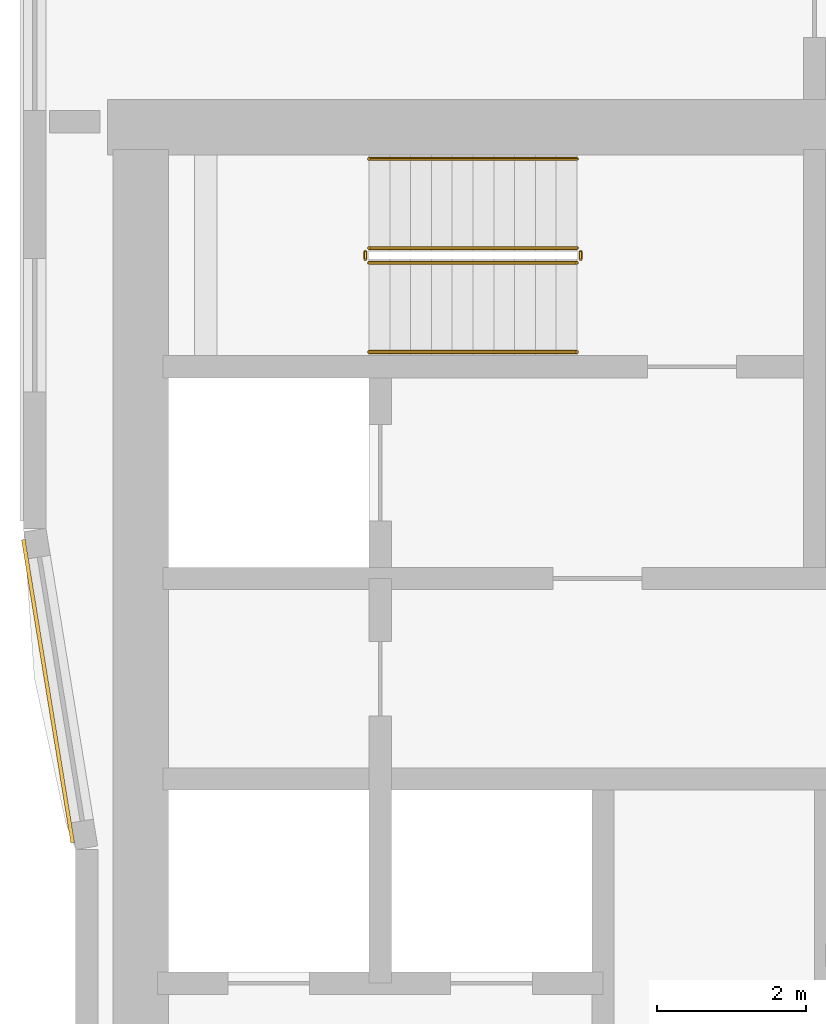
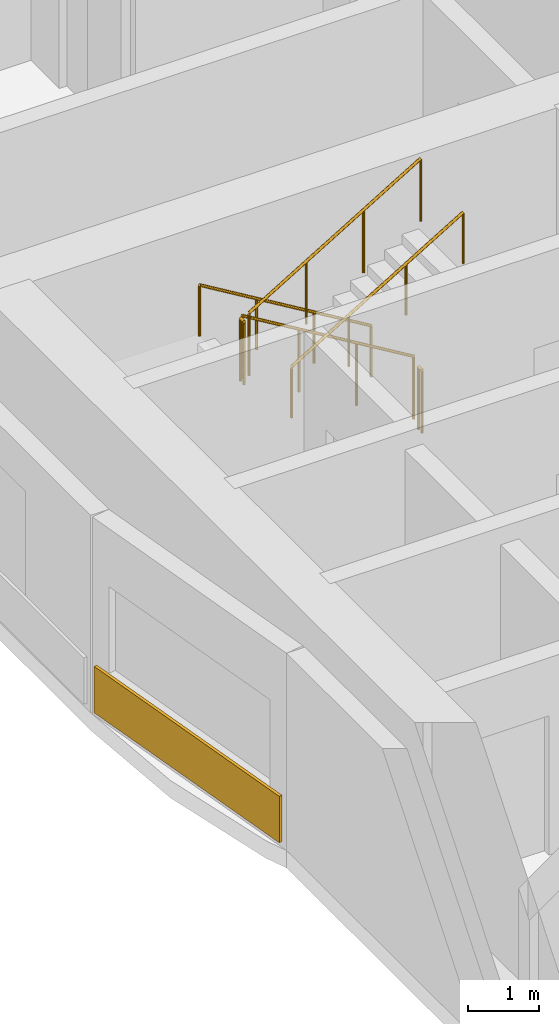
# One storey, part 17 of 22: 6 railings, 1 covering.
"""IFC4 building model written with IfcOpenShell, lengths in metres."""

from ifc_helpers import new_model, si_unit, direction, frame, origin, origin_2d, place, context, subcontext, project, spatial, rectangle, circle, extrude, material, layer, layer_set, type_object, element, save


model = new_model("IFC4")

# Units and contexts
model_context = context("Model", 3, precision=1e-05, world=origin(), true_north=direction((0.0, 1.0)))
body_context = subcontext(model_context, "Body", "Model", "MODEL_VIEW")
ifc_project = project(units=[si_unit("LENGTHUNIT", "METRE"), si_unit("AREAUNIT", "SQUARE_METRE"), si_unit("VOLUMEUNIT", "CUBIC_METRE"), si_unit("PLANEANGLEUNIT", "RADIAN"), si_unit("MASSUNIT", "GRAM", prefix="KILO")], contexts=[model_context])

# Site, building, storey
site_placement = place(None, origin())
site = spatial("IfcSite", under=ifc_project, at=site_placement, CompositionType="ELEMENT")
building_placement = place(site_placement, origin())
building = spatial("IfcBuilding", under=site, at=building_placement, Name="Ogive Portal Towers", CompositionType="ELEMENT")
storey_placement = place(building_placement, frame((0.0, 0.0, 113.0)))
storey = spatial("IfcBuildingStorey", under=building, at=storey_placement, Name="L27", CompositionType="ELEMENT", Elevation=113.0)

# Railings
ifc_material_1 = material(Name="Stainless steel balustrade", Category="steel")
railing_type_1 = type_object("IfcRailingType", Name="INT-GUARD", PredefinedType="GUARDRAIL", material=ifc_material_1)
railing_1_placement = place(storey_placement, frame((37.449951171875, 37.800048828125, 0.168212890625)))
element("IfcRailing", 1, at=railing_1_placement, inside=storey, type_object=railing_type_1, Name="L27 ST-A1 stair guard 1", PredefinedType="GUARDRAIL", context=body_context, shape_type="SweptSolid", body=[
    extrude(circle(Radius=0.02392578125, at=origin_2d()), frame((0.0, 0.0, 1.076171875), z_axis=(-0.857242210791, 0.0, 0.514913383045), x_axis=(0.0, -1.0, 0.0)), (0.0, 0.0, 1.0), 3.266357421875),
    extrude(circle(Radius=0.02099609375, at=origin_2d()), origin(), (0.0, 0.0, 1.0), 1.052001953125),
    extrude(circle(Radius=0.02099609375, at=origin_2d()), frame((-0.933349609375, 0.0, 0.560546875)), (0.0, 0.0, 1.0), 1.052001953125),
    extrude(circle(Radius=0.02099609375, at=origin_2d()), frame((-1.86669921875, 0.0, 1.121337890625)), (0.0, 0.0, 1.0), 1.052001953125),
    extrude(circle(Radius=0.02099609375, at=origin_2d()), frame((-2.800048828125, 0.0, 1.681884765625)), (0.0, 0.0, 1.0), 1.052001953125),
])
railing_2_placement = place(storey_placement, frame((34.60009765625, 37.75, 1.85009765625)))
element("IfcRailing", 2, at=railing_2_placement, inside=storey, type_object=railing_type_1, Name="L27 ST-A1 stair guard 2", PredefinedType="GUARDRAIL", context=body_context, shape_type="SweptSolid", body=[
    extrude(circle(Radius=0.02392578125, at=origin_2d()), frame((0.0, 0.0, 1.076171875), z_axis=(0.0, -1.0, 0.0), x_axis=(1.0, 0.0, 0.0)), (0.0, 0.0, 1.0), 0.10009765625),
    extrude(circle(Radius=0.02099609375, at=origin_2d()), origin(), (0.0, 0.0, 1.0), 1.052001953125),
    extrude(circle(Radius=0.02099609375, at=origin_2d()), frame((0.0, -0.10009765625, 0.0)), (0.0, 0.0, 1.0), 1.052001953125),
])
railing_3_placement = place(storey_placement, frame((34.64990234375, 37.60009765625, 2.01806640625)))
element("IfcRailing", 3, at=railing_3_placement, inside=storey, type_object=railing_type_1, Name="L27 ST-A1 stair guard 3", PredefinedType="GUARDRAIL", context=body_context, shape_type="SweptSolid", body=[
    extrude(circle(Radius=0.02392578125, at=origin_2d()), frame((0.0, 0.0, 1.076171875), z_axis=(0.857242210791, 0.0, 0.514913383045), x_axis=(0.0, 1.0, 0.0)), (0.0, 0.0, 1.0), 3.266357421875),
    extrude(circle(Radius=0.02099609375, at=origin_2d()), origin(), (0.0, 0.0, 1.0), 1.052001953125),
    extrude(circle(Radius=0.02099609375, at=origin_2d()), frame((0.933349609375, 0.0, 0.560546875)), (0.0, 0.0, 1.0), 1.052001953125),
    extrude(circle(Radius=0.02099609375, at=origin_2d()), frame((1.86669921875, 0.0, 1.121337890625)), (0.0, 0.0, 1.0), 1.052001953125),
    extrude(circle(Radius=0.02099609375, at=origin_2d()), frame((2.800048828125, 0.0, 1.681884765625)), (0.0, 0.0, 1.0), 1.052001953125),
])
railing_4_placement = place(storey_placement, frame((37.5, 37.75, 0.0)))
element("IfcRailing", 4, at=railing_4_placement, inside=storey, type_object=railing_type_1, Name="L27 ST-A1 stair guard 4", PredefinedType="GUARDRAIL", context=body_context, shape_type="SweptSolid", body=[
    extrude(circle(Radius=0.02392578125, at=origin_2d()), frame((0.0, 0.0, 1.076171875), z_axis=(0.0, -1.0, 0.0), x_axis=(1.0, 0.0, 0.0)), (0.0, 0.0, 1.0), 0.10009765625),
    extrude(circle(Radius=0.02099609375, at=origin_2d()), origin(), (0.0, 0.0, 1.0), 1.052001953125),
    extrude(circle(Radius=0.02099609375, at=origin_2d()), frame((0.0, -0.10009765625, 0.0)), (0.0, 0.0, 1.0), 1.052001953125),
])
ifc_material_2 = material(Name="Stainless steel handrail", Category="steel")
railing_type_2 = type_object("IfcRailingType", Name="INT-HANDRAIL", PredefinedType="HANDRAIL", material=ifc_material_2)
railing_5_placement = place(storey_placement, frame((37.449951171875, 39.0, 0.168212890625)))
element("IfcRailing", 5, at=railing_5_placement, inside=storey, type_object=railing_type_2, Name="L27 ST-A1 stair handrail 1", PredefinedType="HANDRAIL", context=body_context, shape_type="SweptSolid", body=[
    extrude(circle(Radius=0.02392578125, at=origin_2d()), frame((0.0, 0.0, 0.8759765625), z_axis=(-0.857242210791, 0.0, 0.514913383045), x_axis=(0.0, -1.0, 0.0)), (0.0, 0.0, 1.0), 3.266357421875),
    extrude(circle(Radius=0.02099609375, at=origin_2d()), origin(), (0.0, 0.0, 1.0), 0.851806640625),
    extrude(circle(Radius=0.02099609375, at=origin_2d()), frame((-0.933349609375, 0.0, 0.560546875)), (0.0, 0.0, 1.0), 0.851806640625),
    extrude(circle(Radius=0.02099609375, at=origin_2d()), frame((-1.86669921875, 0.0, 1.121337890625)), (0.0, 0.0, 1.0), 0.851806640625),
    extrude(circle(Radius=0.02099609375, at=origin_2d()), frame((-2.800048828125, 0.0, 1.681884765625)), (0.0, 0.0, 1.0), 0.851806640625),
])
railing_6_placement = place(storey_placement, frame((34.64990234375, 36.39990234375, 2.01806640625)))
element("IfcRailing", 6, at=railing_6_placement, inside=storey, type_object=railing_type_2, Name="L27 ST-A1 stair handrail 2", PredefinedType="HANDRAIL", context=body_context, shape_type="SweptSolid", body=[
    extrude(circle(Radius=0.02392578125, at=origin_2d()), frame((0.0, 0.0, 0.8759765625), z_axis=(0.857242210791, 0.0, 0.514913383045), x_axis=(0.0, 1.0, 0.0)), (0.0, 0.0, 1.0), 3.266357421875),
    extrude(circle(Radius=0.02099609375, at=origin_2d()), origin(), (0.0, 0.0, 1.0), 0.851806640625),
    extrude(circle(Radius=0.02099609375, at=origin_2d()), frame((0.933349609375, 0.0, 0.560546875)), (0.0, 0.0, 1.0), 0.851806640625),
    extrude(circle(Radius=0.02099609375, at=origin_2d()), frame((1.86669921875, 0.0, 1.121337890625)), (0.0, 0.0, 1.0), 0.851806640625),
    extrude(circle(Radius=0.02099609375, at=origin_2d()), frame((2.800048828125, 0.0, 1.681884765625)), (0.0, 0.0, 1.0), 0.851806640625),
])

# Covering
ifc_material_3 = material(Name="Limestone cladding on lightweight block wall", Category="masonry")
ifc_layer = layer(ifc_material_3, 0.050048828125)
ifc_layer_set = layer_set([ifc_layer], Name="SCREEN PERFORATED STONE")
covering_type = type_object("IfcCoveringType", Name="SCREEN PERFORATED STONE", PredefinedType="CLADDING", material=ifc_layer_set)
covering_placement = place(storey_placement, frame((30.327392578125, 31.833740234375, 0.10009765625), z_axis=(0.0, 0.0, 1.0), x_axis=(0.160654533408, -0.987010699484, 0.0)))
element("IfcCovering", 7, at=covering_placement, inside=storey, type_object=covering_type, Name="Tracery screen", PredefinedType="CLADDING", context=body_context, shape_type="SweptSolid", body=[
    extrude(rectangle(XDim=4.1328125, YDim=0.050048828125, at=origin_2d()), origin(), (0.0, 0.0, 1.0), 0.800048828125),
])

save(model, "model.ifc")
